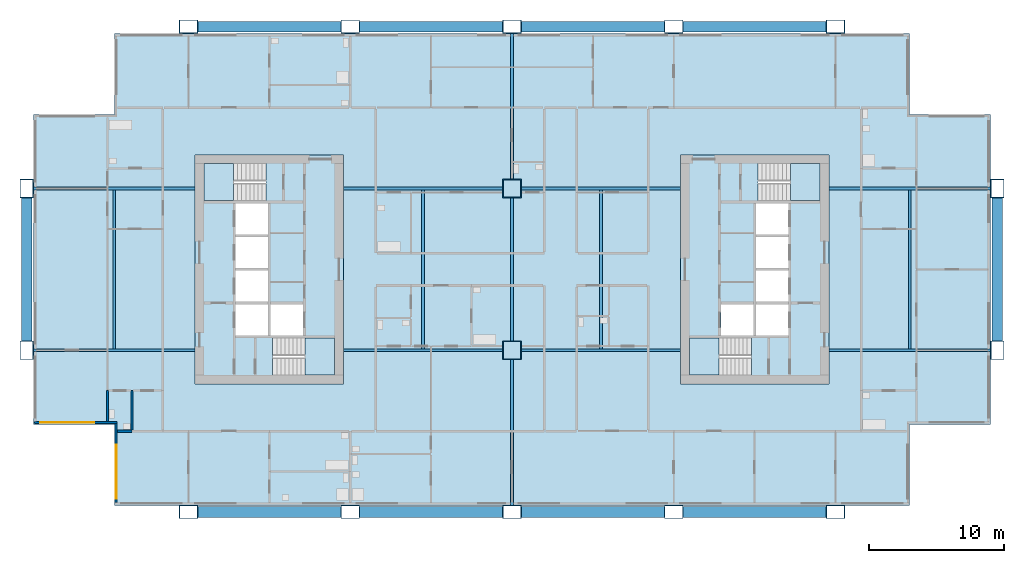
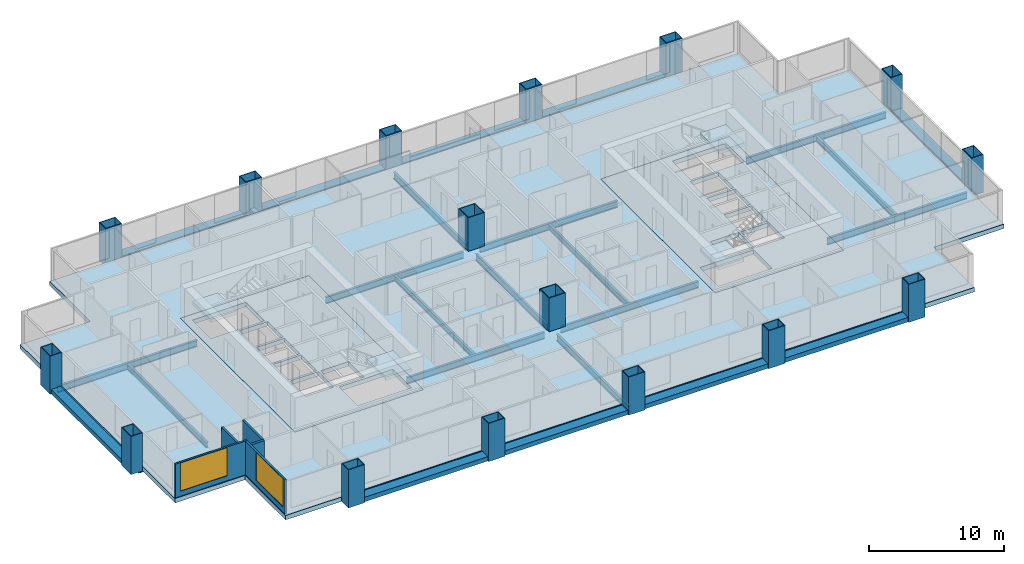
# One storey, part 1 of 11: 25 beams, 16 columns, 7 slabs, 5 walls, 2 windows, 2 openings, 4 elements without a shape of their own.
"""IFC4 building model written with IfcOpenShell, lengths in metres."""

from ifc_helpers import new_model, si_unit, direction, frame, frame_2d, origin, origin_2d, place, context, subcontext, project, spatial, polyline, rectangle, hollow_rectangle, i_section, outline, extrude, material, layer, layer_set, material_profile, profile_set, type_object, element, fill, aggregate, save


model = new_model("IFC4")

# Units and contexts
model_context = context("Model", 3, precision=1e-05, world=origin(), true_north=direction((0.0, 1.0)))
body_context = subcontext(model_context, "Body", "Model", "MODEL_VIEW")
ifc_project = project(units=[si_unit("LENGTHUNIT", "METRE"), si_unit("AREAUNIT", "SQUARE_METRE"), si_unit("VOLUMEUNIT", "CUBIC_METRE"), si_unit("PLANEANGLEUNIT", "RADIAN"), si_unit("MASSUNIT", "GRAM", prefix="KILO")], contexts=[model_context])

# Site, building, storey
site_placement = place(None, origin())
site = spatial("IfcSite", under=ifc_project, at=site_placement, CompositionType="ELEMENT")
building_placement = place(site_placement, origin())
building = spatial("IfcBuilding", under=site, at=building_placement, Name="Kitamizu Gate Tower and Museum", CompositionType="ELEMENT")
storey_placement = place(building_placement, frame((0.0, 0.0, 138.0)))
storey = spatial("IfcBuildingStorey", under=building, at=storey_placement, Name="L36", CompositionType="ELEMENT", Elevation=138.0)

# Columns
ifc_material_1 = material(Name="Steel SM490A bronze coated", Category="steel")
ifc_material_profile_1 = material_profile(ifc_material_1, hollow_rectangle(XDim=1.39990234375, YDim=1.0, WallThickness=0.054931640625, at=origin_2d()), Name="BOX 1400x1000x55")
ifc_profile_set_1 = profile_set([ifc_material_profile_1], Name="Steel SM490A bronze coated")
column_type_1 = type_object("IfcColumnType", Name="Exoskeleton column XC5 BOX 1400x1000x55", PredefinedType="COLUMN", material=ifc_profile_set_1)
for number, where, z_axis, x_axis, name in (
    (1, (0.0, 24.0, -0.39990234375), (0.0, 0.0, 1.0), (0.0, 1.0, 0.0), "Column XC5 1C L36"),
    (2, (0.0, 36.0, -0.39990234375), (0.0, 0.0, 1.0), (0.0, 1.0, 0.0), "Column XC5 1D L36"),
    (3, (12.0, 12.0, -0.39990234375), (0.0, 0.0, 1.0), (1.0, 0.0, 0.0), "Column XC5 2B L36"),
    (4, (12.0, 48.0, -0.39990234375), (0.0, 0.0, 1.0), (1.0, 0.0, 0.0), "Column XC5 2E L36"),
    (5, (24.0, 12.0, -0.39990234375), (0.0, 0.0, 1.0), (1.0, 0.0, 0.0), "Column XC5 3B L36"),
    (6, (24.0, 48.0, -0.39990234375), (0.0, 0.0, 1.0), (1.0, 0.0, 0.0), "Column XC5 3E L36"),
    (7, (36.0, 12.0, -0.39990234375), (0.0, 0.0, 1.0), (1.0, 0.0, 0.0), "Column XC5 4B L36"),
    (8, (36.0, 48.0, -0.39990234375), (0.0, 0.0, 1.0), (1.0, 0.0, 0.0), "Column XC5 4E L36"),
    (9, (48.0, 12.0, -0.39990234375), (0.0, 0.0, 1.0), (1.0, 0.0, 0.0), "Column XC5 5B L36"),
    (10, (48.0, 48.0, -0.39990234375), (0.0, 0.0, 1.0), (1.0, 0.0, 0.0), "Column XC5 5E L36"),
    (11, (60.0, 12.0, -0.39990234375), (0.0, 0.0, 1.0), (1.0, 0.0, 0.0), "Column XC5 6B L36"),
    (12, (60.0, 48.0, -0.39990234375), (0.0, 0.0, 1.0), (1.0, 0.0, 0.0), "Column XC5 6E L36"),
    (13, (72.0, 24.0, -0.39990234375), (0.0, 0.0, 1.0), (0.0, 1.0, 0.0), "Column XC5 7C L36"),
    (14, (72.0, 36.0, -0.39990234375), (0.0, 0.0, 1.0), (0.0, 1.0, 0.0), "Column XC5 7D L36"),
):
    element("IfcColumn", number, at=place(storey_placement, frame(where, z_axis=z_axis, x_axis=x_axis)), inside=storey, type_object=column_type_1, Name=name, PredefinedType="COLUMN", context=body_context, shape_type="SweptSolid", body=[
        extrude(hollow_rectangle(XDim=1.39990234375, YDim=1.0, WallThickness=0.054931640625, at=origin_2d()), origin(), (0.0, 0.0, 1.0), 3.449951171875),
    ])
ifc_material_2 = material(Name="Steel SM490A", Category="steel")
ifc_material_profile_2 = material_profile(ifc_material_2, hollow_rectangle(XDim=1.39990234375, YDim=1.39990234375, WallThickness=0.06005859375, at=origin_2d()), Name="BOX 1400x1400x60")
ifc_profile_set_2 = profile_set([ifc_material_profile_2], Name="Steel SM490A")
column_type_2 = type_object("IfcColumnType", Name="Interior column IC3 BOX 1400x1400x60", PredefinedType="COLUMN", material=ifc_profile_set_2)
for number, where, z_axis, x_axis, name in (
    (15, (36.0, 24.0, 0.0), (0.0, 0.0, 1.0), (1.0, 0.0, 0.0), "Column IC3 4C L36"),
    (16, (36.0, 36.0, 0.0), (0.0, 0.0, 1.0), (1.0, 0.0, 0.0), "Column IC3 4D L36"),
):
    element("IfcColumn", number, at=place(storey_placement, frame(where, z_axis=z_axis, x_axis=x_axis)), inside=storey, type_object=column_type_2, Name=name, PredefinedType="COLUMN", context=body_context, shape_type="SweptSolid", body=[
        extrude(hollow_rectangle(XDim=1.39990234375, YDim=1.39990234375, WallThickness=0.06005859375, at=origin_2d()), origin(), (0.0, 0.0, 1.0), 3.050048828125),
    ])

# Beams
ifc_material_3 = material(Name="Steel SM490A bronze coated", Category="steel")
ifc_material_profile_3 = material_profile(ifc_material_3, hollow_rectangle(XDim=0.800048828125, YDim=0.39990234375, WallThickness=0.0400390625, at=origin_2d()), Name="BOX 800x400x40")
ifc_profile_set_3 = profile_set([ifc_material_profile_3], Name="Steel SM490A bronze coated")
beam_type_1 = type_object("IfcBeamType", Name="Exoskeleton spandrel beam SB1 BOX 800x400x40", PredefinedType="SPANDREL", material=ifc_profile_set_3)
for number, where, z_axis, x_axis, name in (
    (17, (12.699951171875, 12.0, -0.199951171875), (1.0, 0.0, 0.0), (0.0, 1.0, 0.0), "Exoskeleton spandrel beam south 12 L36"),
    (18, (24.699951171875, 12.0, -0.199951171875), (1.0, 0.0, 0.0), (0.0, 1.0, 0.0), "Exoskeleton spandrel beam south 24 L36"),
    (19, (36.699951171875, 12.0, -0.199951171875), (1.0, 0.0, 0.0), (0.0, 1.0, 0.0), "Exoskeleton spandrel beam south 36 L36"),
    (20, (48.699951171875, 12.0, -0.199951171875), (1.0, 0.0, 0.0), (0.0, 1.0, 0.0), "Exoskeleton spandrel beam south 48 L36"),
    (21, (12.699951171875, 48.0, -0.199951171875), (1.0, 0.0, 0.0), (0.0, 1.0, 0.0), "Exoskeleton spandrel beam north 12 L36"),
    (22, (24.699951171875, 48.0, -0.199951171875), (1.0, 0.0, 0.0), (0.0, 1.0, 0.0), "Exoskeleton spandrel beam north 24 L36"),
    (23, (36.699951171875, 48.0, -0.199951171875), (1.0, 0.0, 0.0), (0.0, 1.0, 0.0), "Exoskeleton spandrel beam north 36 L36"),
    (24, (48.699951171875, 48.0, -0.199951171875), (1.0, 0.0, 0.0), (0.0, 1.0, 0.0), "Exoskeleton spandrel beam north 48 L36"),
    (25, (0.0, 24.699951171875, -0.199951171875), (0.0, 1.0, 0.0), (-1.0, 0.0, 0.0), "Exoskeleton spandrel beam west 24 L36"),
    (26, (72.0, 24.699951171875, -0.199951171875), (0.0, 1.0, 0.0), (-1.0, 0.0, 0.0), "Exoskeleton spandrel beam east 24 L36"),
):
    element("IfcBeam", number, at=place(storey_placement, frame(where, z_axis=z_axis, x_axis=x_axis)), inside=storey, type_object=beam_type_1, Name=name, PredefinedType="SPANDREL", context=body_context, shape_type="SweptSolid", body=[
        extrude(hollow_rectangle(XDim=0.800048828125, YDim=0.39990234375, WallThickness=0.0400390625, at=origin_2d()), origin(), (0.0, 0.0, 1.0), 10.60009765625),
    ])
ifc_material_4 = material(Name="Steel SM490A", Category="steel")
ifc_material_profile_4 = material_profile(ifc_material_4, i_section(OverallWidth=0.199951171875, OverallDepth=0.5, WebThickness=0.010009765625, FlangeThickness=0.01611328125, FilletRadius=0.02001953125, at=origin_2d()), Name="H-500x200x10x16")
ifc_profile_set_4 = profile_set([ifc_material_profile_4], Name="Steel SM490A")
beam_type_2 = type_object("IfcBeamType", Name="Floor beam FB1 H 500x200x10x16", PredefinedType="BEAM", material=ifc_profile_set_4)
for number, where, z_axis, x_axis, name in (
    (27, (6.5, 24.10009765625, -0.64990234375), (0.0, 1.0, 0.0), (-1.0, 0.0, 0.0), "Floor beam FB1 L36-1"),
    (28, (29.39990234375, 24.10009765625, -0.64990234375), (0.0, 1.0, 0.0), (-1.0, 0.0, 0.0), "Floor beam FB1 L36-2"),
    (29, (42.60009765625, 24.10009765625, -0.64990234375), (0.0, 1.0, 0.0), (-1.0, 0.0, 0.0), "Floor beam FB1 L36-3"),
    (30, (65.5, 24.10009765625, -0.64990234375), (0.0, 1.0, 0.0), (-1.0, 0.0, 0.0), "Floor beam FB1 L36-4"),
):
    element("IfcBeam", number, at=place(storey_placement, frame(where, z_axis=z_axis, x_axis=x_axis)), inside=storey, type_object=beam_type_2, Name=name, PredefinedType="BEAM", context=body_context, shape_type="SweptSolid", body=[
        extrude(i_section(OverallWidth=0.199951171875, OverallDepth=0.5, WebThickness=0.010009765625, FlangeThickness=0.01611328125, FilletRadius=0.02001953125, at=origin_2d()), origin(), (0.0, 0.0, 1.0), 11.7998046875),
    ])
ifc_material_5 = material(Name="Steel SM490A", Category="steel")
ifc_material_profile_5 = material_profile(ifc_material_5, i_section(OverallWidth=0.199951171875, OverallDepth=0.60009765625, WebThickness=0.010986328125, FlangeThickness=0.01708984375, FilletRadius=0.02197265625, at=origin_2d()), Name="H-600x200x11x17")
ifc_profile_set_5 = profile_set([ifc_material_profile_5], Name="Steel SM490A")
beam_type_3 = type_object("IfcBeamType", Name="Floor girder FG1 H 600x200x11x17", PredefinedType="BEAM", material=ifc_profile_set_5)
beam_1_placement = place(storey_placement, frame((36.0, 12.5, -0.699951171875), z_axis=(0.0, 1.0, 0.0), x_axis=(-1.0, 0.0, 0.0)))
element("IfcBeam", 31, at=beam_1_placement, inside=storey, type_object=beam_type_3, Name="Floor girder FG1 x36 L36", PredefinedType="BEAM", context=body_context, shape_type="SweptSolid", body=[
    extrude(i_section(OverallWidth=0.199951171875, OverallDepth=0.60009765625, WebThickness=0.010986328125, FlangeThickness=0.01708984375, FilletRadius=0.02197265625, at=origin_2d()), origin(), (0.0, 0.0, 1.0), 10.800048828125),
])
beam_2_placement = place(storey_placement, frame((36.0, 24.699951171875, -0.699951171875), z_axis=(0.0, 1.0, 0.0), x_axis=(-1.0, 0.0, 0.0)))
element("IfcBeam", 32, at=beam_2_placement, inside=storey, type_object=beam_type_3, Name="Floor girder FG1 x36 L36", PredefinedType="BEAM", context=body_context, shape_type="SweptSolid", body=[
    extrude(i_section(OverallWidth=0.199951171875, OverallDepth=0.60009765625, WebThickness=0.010986328125, FlangeThickness=0.01708984375, FilletRadius=0.02197265625, at=origin_2d()), origin(), (0.0, 0.0, 1.0), 10.60009765625),
])
beam_3_placement = place(storey_placement, frame((36.0, 36.699951171875, -0.699951171875), z_axis=(0.0, 1.0, 0.0), x_axis=(-1.0, 0.0, 0.0)))
element("IfcBeam", 33, at=beam_3_placement, inside=storey, type_object=beam_type_3, Name="Floor girder FG1 x36 L36", PredefinedType="BEAM", context=body_context, shape_type="SweptSolid", body=[
    extrude(i_section(OverallWidth=0.199951171875, OverallDepth=0.60009765625, WebThickness=0.010986328125, FlangeThickness=0.01708984375, FilletRadius=0.02197265625, at=origin_2d()), origin(), (0.0, 0.0, 1.0), 10.800048828125),
])
beam_4_placement = place(storey_placement, frame((0.5, 24.0, -0.699951171875), z_axis=(1.0, 0.0, 0.0), x_axis=(0.0, 1.0, 0.0)))
element("IfcBeam", 34, at=beam_4_placement, inside=storey, type_object=beam_type_3, Name="Floor girder FG1 y24 L36", PredefinedType="BEAM", context=body_context, shape_type="SweptSolid", body=[
    extrude(i_section(OverallWidth=0.199951171875, OverallDepth=0.60009765625, WebThickness=0.010986328125, FlangeThickness=0.01708984375, FilletRadius=0.02197265625, at=origin_2d()), origin(), (0.0, 0.0, 1.0), 12.0),
])
for number, where, z_axis, x_axis, name in (
    (35, (23.5, 24.0, -0.699951171875), (1.0, 0.0, 0.0), (0.0, 1.0, 0.0), "Floor girder FG1 y24 L36"),
    (36, (36.699951171875, 24.0, -0.699951171875), (1.0, 0.0, 0.0), (0.0, 1.0, 0.0), "Floor girder FG1 y24 L36"),
):
    element("IfcBeam", number, at=place(storey_placement, frame(where, z_axis=z_axis, x_axis=x_axis)), inside=storey, type_object=beam_type_3, Name=name, PredefinedType="BEAM", context=body_context, shape_type="SweptSolid", body=[
        extrude(i_section(OverallWidth=0.199951171875, OverallDepth=0.60009765625, WebThickness=0.010986328125, FlangeThickness=0.01708984375, FilletRadius=0.02197265625, at=origin_2d()), origin(), (0.0, 0.0, 1.0), 11.800048828125),
    ])
for number, where, z_axis, x_axis, name in (
    (37, (59.5, 24.0, -0.699951171875), (1.0, 0.0, 0.0), (0.0, 1.0, 0.0), "Floor girder FG1 y24 L36"),
    (38, (0.5, 36.0, -0.699951171875), (1.0, 0.0, 0.0), (0.0, 1.0, 0.0), "Floor girder FG1 y36 L36"),
):
    element("IfcBeam", number, at=place(storey_placement, frame(where, z_axis=z_axis, x_axis=x_axis)), inside=storey, type_object=beam_type_3, Name=name, PredefinedType="BEAM", context=body_context, shape_type="SweptSolid", body=[
        extrude(i_section(OverallWidth=0.199951171875, OverallDepth=0.60009765625, WebThickness=0.010986328125, FlangeThickness=0.01708984375, FilletRadius=0.02197265625, at=origin_2d()), origin(), (0.0, 0.0, 1.0), 12.0),
    ])
for number, where, z_axis, x_axis, name in (
    (39, (23.5, 36.0, -0.699951171875), (1.0, 0.0, 0.0), (0.0, 1.0, 0.0), "Floor girder FG1 y36 L36"),
    (40, (36.699951171875, 36.0, -0.699951171875), (1.0, 0.0, 0.0), (0.0, 1.0, 0.0), "Floor girder FG1 y36 L36"),
):
    element("IfcBeam", number, at=place(storey_placement, frame(where, z_axis=z_axis, x_axis=x_axis)), inside=storey, type_object=beam_type_3, Name=name, PredefinedType="BEAM", context=body_context, shape_type="SweptSolid", body=[
        extrude(i_section(OverallWidth=0.199951171875, OverallDepth=0.60009765625, WebThickness=0.010986328125, FlangeThickness=0.01708984375, FilletRadius=0.02197265625, at=origin_2d()), origin(), (0.0, 0.0, 1.0), 11.800048828125),
    ])
beam_5_placement = place(storey_placement, frame((59.5, 36.0, -0.699951171875), z_axis=(1.0, 0.0, 0.0), x_axis=(0.0, 1.0, 0.0)))
element("IfcBeam", 41, at=beam_5_placement, inside=storey, type_object=beam_type_3, Name="Floor girder FG1 y36 L36", PredefinedType="BEAM", context=body_context, shape_type="SweptSolid", body=[
    extrude(i_section(OverallWidth=0.199951171875, OverallDepth=0.60009765625, WebThickness=0.010986328125, FlangeThickness=0.01708984375, FilletRadius=0.02197265625, at=origin_2d()), origin(), (0.0, 0.0, 1.0), 12.0),
])

# Slabs
ifc_material_6 = material(Name="Concrete Fc36", Category="concrete")
ifc_layer_1 = layer(ifc_material_6, 0.39990234375)
ifc_layer_set_1 = layer_set([ifc_layer_1], Name="Concrete Fc36")
slab_type_1 = type_object("IfcSlabType", Name="Core floor slab 400", PredefinedType="FLOOR", material=ifc_layer_set_1)
slab_1_placement = place(storey_placement, frame((0.0, 0.0, -0.39990234375)))
element("IfcSlab", 42, at=slab_1_placement, inside=storey, type_object=slab_type_1, Name="Core floor slab W", PredefinedType="FLOOR", context=body_context, shape_type="SweptSolid", body=[
    extrude(outline(polyline([(12.5, 21.5), (23.5, 21.5), (23.5, 38.5), (12.5, 38.5), (12.5, 21.5)]), holes=[polyline([(15.5, 25.10009765625), (17.89990234375, 25.10009765625), (17.89990234375, 27.39990234375), (15.5, 27.39990234375), (15.5, 25.10009765625)]), polyline([(15.5, 27.60009765625), (17.89990234375, 27.60009765625), (17.89990234375, 29.89990234375), (15.5, 29.89990234375), (15.5, 27.60009765625)]), polyline([(15.5, 30.10009765625), (17.89990234375, 30.10009765625), (17.89990234375, 32.39990234375), (15.5, 32.39990234375), (15.5, 30.10009765625)]), polyline([(15.5, 32.60009765625), (17.89990234375, 32.60009765625), (17.89990234375, 34.89990234375), (15.5, 34.89990234375), (15.5, 32.60009765625)]), polyline([(18.10009765625, 25.10009765625), (20.5, 25.10009765625), (20.5, 27.39990234375), (18.10009765625, 27.39990234375), (18.10009765625, 25.10009765625)]), polyline([(18.25048828125, 22.14990234375), (22.85009765625, 22.14990234375), (22.85009765625, 24.89990234375), (18.25048828125, 24.89990234375), (18.25048828125, 22.14990234375)]), polyline([(13.14990234375, 35.10009765625), (17.74951171875, 35.10009765625), (17.74951171875, 37.85009765625), (13.14990234375, 37.85009765625), (13.14990234375, 35.10009765625)])]), origin(), (0.0, 0.0, 1.0), 0.39990234375),
])
slab_2_placement = place(storey_placement, frame((0.0, 0.0, -0.39990234375)))
element("IfcSlab", 43, at=slab_2_placement, inside=storey, type_object=slab_type_1, Name="Core floor slab E", PredefinedType="FLOOR", context=body_context, shape_type="SweptSolid", body=[
    extrude(outline(polyline([(48.5, 21.5), (59.5, 21.5), (59.5, 38.5), (48.5, 38.5), (48.5, 21.5)]), holes=[polyline([(54.10009765625, 25.10009765625), (56.5, 25.10009765625), (56.5, 27.39990234375), (54.10009765625, 27.39990234375), (54.10009765625, 25.10009765625)]), polyline([(54.10009765625, 27.60009765625), (56.5, 27.60009765625), (56.5, 29.89990234375), (54.10009765625, 29.89990234375), (54.10009765625, 27.60009765625)]), polyline([(54.10009765625, 30.10009765625), (56.5, 30.10009765625), (56.5, 32.39990234375), (54.10009765625, 32.39990234375), (54.10009765625, 30.10009765625)]), polyline([(54.10009765625, 32.60009765625), (56.5, 32.60009765625), (56.5, 34.89990234375), (54.10009765625, 34.89990234375), (54.10009765625, 32.60009765625)]), polyline([(51.5, 25.10009765625), (53.89990234375, 25.10009765625), (53.89990234375, 27.39990234375), (51.5, 27.39990234375), (51.5, 25.10009765625)]), polyline([(49.14990234375, 22.14990234375), (53.74951171875, 22.14990234375), (53.74951171875, 24.89990234375), (49.14990234375, 24.89990234375), (49.14990234375, 22.14990234375)]), polyline([(54.25048828125, 35.10009765625), (58.85009765625, 35.10009765625), (58.85009765625, 37.85009765625), (54.25048828125, 37.85009765625), (54.25048828125, 35.10009765625)])]), origin(), (0.0, 0.0, 1.0), 0.39990234375),
])
ifc_material_7 = material(Name="Concrete Fc36", Category="concrete")
ifc_layer_2 = layer(ifc_material_7, 0.39990234375)
ifc_layer_set_2 = layer_set([ifc_layer_2], Name="Concrete Fc36")
slab_type_2 = type_object("IfcSlabType", Name="Post tensioned flat slab 400", PredefinedType="FLOOR", material=ifc_layer_set_2)
slab_3_placement = place(storey_placement, frame((0.0, 0.0, -0.39990234375)))
element("IfcSlab", 44, at=slab_3_placement, inside=storey, type_object=slab_type_2, Name="Floor slab L36-1", PredefinedType="FLOOR", context=body_context, shape_type="SweptSolid", body=[
    extrude(outline(polyline([(0.5, 18.5), (0.5, 41.5), (6.5, 41.5), (6.5, 47.5), (65.5, 47.5), (65.5, 41.5), (71.5, 41.5), (71.5, 18.5), (65.5, 18.5), (65.5, 12.5), (6.5, 12.5), (6.5, 18.5), (0.5, 18.5)]), holes=[polyline([(59.5, 38.5), (48.5, 38.5), (48.5, 21.5), (59.5, 21.5), (59.5, 38.5)]), polyline([(12.5, 38.5), (12.5, 21.5), (23.5, 21.5), (23.5, 38.5), (12.5, 38.5)])]), origin(), (0.0, 0.0, 1.0), 0.39990234375),
])

# Stair, slab
ifc_material_8 = material(Name="Concrete Fc42", Category="concrete")
stair_type = type_object("IfcStairType", Name="Exit stair 1275 wide 192 rise 300 going", PredefinedType="HALF_TURN_STAIR", material=ifc_material_8)
stair_1_placement = place(storey_placement, origin())
stair_1 = element("IfcStair", 45, at=stair_1_placement, inside=storey, type_object=stair_type, Name="Exit stair ST1", PredefinedType="HALF_TURN_STAIR")
ifc_material_9 = material(Name="Concrete Fc42", Category="concrete")
ifc_layer_3 = layer(ifc_material_9, 0.300048828125)
ifc_layer_set_3 = layer_set([ifc_layer_3], Name="Concrete Fc42")
slab_type_3 = type_object("IfcSlabType", Name="Stair landing 300", PredefinedType="LANDING", material=ifc_layer_set_3)
slab_4_placement = place(storey_placement, frame((0.0, 0.0, 1.425048828125)))
slab_4 = element("IfcSlab", 46, at=slab_4_placement, type_object=slab_type_3, Name="ST1 landing 1", PredefinedType="LANDING", context=body_context, shape_type="SweptSolid", body=[
    extrude(outline(polyline([(20.64990234375, 22.14990234375), (22.85009765625, 22.14990234375), (22.85009765625, 24.89990234375), (20.64990234375, 24.89990234375), (20.64990234375, 22.14990234375)])), origin(), (0.0, 0.0, 1.0), 0.300048828125),
])
aggregate(stair_1, [slab_4])

stair_2_placement = place(storey_placement, origin())
stair_2 = element("IfcStair", 47, at=stair_2_placement, inside=storey, type_object=stair_type, Name="Exit stair ST2", PredefinedType="HALF_TURN_STAIR")
slab_5_placement = place(storey_placement, frame((0.0, 0.0, 1.425048828125)))
slab_5 = element("IfcSlab", 48, at=slab_5_placement, type_object=slab_type_3, Name="ST2 landing 1", PredefinedType="LANDING", context=body_context, shape_type="SweptSolid", body=[
    extrude(outline(polyline([(13.14990234375, 35.10009765625), (15.35009765625, 35.10009765625), (15.35009765625, 37.85009765625), (13.14990234375, 37.85009765625), (13.14990234375, 35.10009765625)])), origin(), (0.0, 0.0, 1.0), 0.300048828125),
])
aggregate(stair_2, [slab_5])

stair_3_placement = place(storey_placement, origin())
stair_3 = element("IfcStair", 49, at=stair_3_placement, inside=storey, type_object=stair_type, Name="Exit stair ST3", PredefinedType="HALF_TURN_STAIR")
slab_6_placement = place(storey_placement, frame((0.0, 0.0, 1.425048828125)))
slab_6 = element("IfcSlab", 50, at=slab_6_placement, type_object=slab_type_3, Name="ST3 landing 1", PredefinedType="LANDING", context=body_context, shape_type="SweptSolid", body=[
    extrude(outline(polyline([(49.14990234375, 22.14990234375), (51.35009765625, 22.14990234375), (51.35009765625, 24.89990234375), (49.14990234375, 24.89990234375), (49.14990234375, 22.14990234375)])), origin(), (0.0, 0.0, 1.0), 0.300048828125),
])
aggregate(stair_3, [slab_6])

stair_4_placement = place(storey_placement, origin())
stair_4 = element("IfcStair", 51, at=stair_4_placement, inside=storey, type_object=stair_type, Name="Exit stair ST4", PredefinedType="HALF_TURN_STAIR")
slab_7_placement = place(storey_placement, frame((0.0, 0.0, 1.425048828125)))
slab_7 = element("IfcSlab", 52, at=slab_7_placement, type_object=slab_type_3, Name="ST4 landing 1", PredefinedType="LANDING", context=body_context, shape_type="SweptSolid", body=[
    extrude(outline(polyline([(56.64990234375, 35.10009765625), (58.85009765625, 35.10009765625), (58.85009765625, 37.85009765625), (56.64990234375, 37.85009765625), (56.64990234375, 35.10009765625)])), origin(), (0.0, 0.0, 1.0), 0.300048828125),
])
aggregate(stair_4, [slab_7])

# Walls
ifc_material_10 = material(Name="Gypsum board on galvanised stud")
ifc_layer_4 = layer(ifc_material_10, 0.14990234375)
ifc_layer_set_4 = layer_set([ifc_layer_4], Name="Gypsum board on galvanised stud")
wall_type_1 = type_object("IfcWallType", Name="Partition 150", PredefinedType="PARTITIONING", material=ifc_layer_set_4)
wall_1_placement = place(storey_placement, frame((6.0, 18.719970703125, 0.0), z_axis=(0.0, 0.0, 1.0), x_axis=(0.0, 1.0, 0.0)))
element("IfcWall", 53, at=wall_1_placement, inside=storey, type_object=wall_type_1, Name="Partition L36-014", PredefinedType="PARTITIONING", context=body_context, shape_type="SweptSolid", body=[
    extrude(rectangle(XDim=2.280029296875, YDim=0.14990234375, at=frame_2d((1.14013671875, 0.0))), origin(), (0.0, 0.0, 1.0), 3.050048828125),
])
wall_2_placement = place(storey_placement, frame((7.800048828125, 18.10009765625, 0.0), z_axis=(0.0, 0.0, 1.0), x_axis=(0.0, 1.0, 0.0)))
element("IfcWall", 54, at=wall_2_placement, inside=storey, type_object=wall_type_1, Name="Partition L36-021", PredefinedType="PARTITIONING", context=body_context, shape_type="SweptSolid", body=[
    extrude(rectangle(XDim=2.89990234375, YDim=0.14990234375, at=frame_2d((1.449951171875, 0.0))), origin(), (0.0, 0.0, 1.0), 3.050048828125),
])
ifc_material_11 = material(Name="Gypsum board on galvanised stud")
ifc_layer_5 = layer(ifc_material_11, 0.199951171875)
ifc_layer_set_5 = layer_set([ifc_layer_5], Name="Gypsum board on galvanised stud")
wall_type_2 = type_object("IfcWallType", Name="Partition 200", PredefinedType="PARTITIONING", material=ifc_layer_set_5)
wall_3_placement = place(storey_placement, frame((7.800048828125, 18.0, 0.0), z_axis=(0.0, 0.0, 1.0), x_axis=(-1.0, 0.0, 0.0)))
element("IfcWall", 55, at=wall_3_placement, inside=storey, type_object=wall_type_2, Name="Partition L36-002", PredefinedType="PARTITIONING", context=body_context, shape_type="SweptSolid", body=[
    extrude(rectangle(XDim=1.080078125, YDim=0.199951171875, at=frame_2d((0.5400390625, 0.0))), origin(), (0.0, 0.0, 1.0), 3.050048828125),
])

# Wall, opening, window
ifc_material_12 = material(Name="Bronze anodised aluminium frame with insulated spandrel and tinted glass", Category="aluminium")
ifc_layer_6 = layer(ifc_material_12, 0.14990234375)
ifc_layer_set_6 = layer_set([ifc_layer_6], Name="Bronze anodised aluminium frame with insulated spandrel and tinted glass")
wall_type_3 = type_object("IfcWallType", Name="WINDOW WALL 150 BRONZE FRAME EI 30", PredefinedType="ELEMENTEDWALL", material=ifc_layer_set_6)
wall_4_placement = place(storey_placement, frame((0.56005859375, 18.635009765625, 0.0), z_axis=(0.0, 0.0, 1.0), x_axis=(1.0, 0.0, 0.0)))
wall_4 = element("IfcWall", 56, at=wall_4_placement, inside=storey, type_object=wall_type_3, Name="Window wall south L36", PredefinedType="ELEMENTEDWALL", context=body_context, shape_type="SweptSolid", body=[
    extrude(rectangle(XDim=6.14990234375, YDim=0.14990234375, at=frame_2d((3.074951171875, 0.0))), origin(), (0.0, 0.0, 1.0), 3.050048828125),
])
opening_1_placement = place(wall_4_placement, frame((0.43994140625, 0.0, 0.449951171875)))
opening_1 = element("IfcOpeningElement", 57, at=opening_1_placement, cuts=wall_4, Name="Opening W16", PredefinedType="OPENING", context=body_context, shape_type="SweptSolid", body=[
    extrude(rectangle(XDim=4.0, YDim=2.550048828125, at=frame_2d((2.0, 1.27490234375))), frame((0.0, 0.0849609375, 0.0), z_axis=(0.0, -1.0, 0.0), x_axis=(1.0, 0.0, 0.0)), (0.0, 0.0, 1.0), 0.169921875),
])
ifc_material_13 = material(Name="Bronze anodised aluminium frame, tinted triple glazing", Category="aluminium")
window_type = type_object("IfcWindowType", Name="WINDOW 4000 x 2550 SILL 450", PartitioningType="SINGLE_PANEL", PredefinedType="WINDOW", material=ifc_material_13)
window_1_placement = place(opening_1_placement, origin())
window_1 = element("IfcWindow", 58, at=window_1_placement, inside=storey, type_object=window_type, Name="Window W16 L36", OverallHeight=2.550048828125, OverallWidth=4.0, PartitioningType="SINGLE_PANEL", PredefinedType="WINDOW", context=body_context, shape_type="SweptSolid", body=[
    extrude(rectangle(XDim=4.0, YDim=2.550048828125, at=frame_2d((2.0, 1.27490234375))), frame((0.0, 0.030029296875, 0.0), z_axis=(0.0, -1.0, 0.0), x_axis=(1.0, 0.0, 0.0)), (0.0, 0.0, 1.0), 0.06005859375),
])
fill(opening_1, window_1)

wall_5_placement = place(storey_placement, frame((6.635009765625, 12.7099609375, 0.0), z_axis=(0.0, 0.0, 1.0), x_axis=(0.0, 1.0, 0.0)))
wall_5 = element("IfcWall", 59, at=wall_5_placement, inside=storey, type_object=wall_type_3, Name="Window wall west L36", PredefinedType="ELEMENTEDWALL", context=body_context, shape_type="SweptSolid", body=[
    extrude(rectangle(XDim=5.85009765625, YDim=0.14990234375, at=frame_2d((2.925048828125, 0.0))), origin(), (0.0, 0.0, 1.0), 3.050048828125),
])
opening_2_placement = place(wall_5_placement, frame((0.2900390625, 0.0, 0.449951171875)))
opening_2 = element("IfcOpeningElement", 60, at=opening_2_placement, cuts=wall_5, Name="Opening W16", PredefinedType="OPENING", context=body_context, shape_type="SweptSolid", body=[
    extrude(rectangle(XDim=4.0, YDim=2.550048828125, at=frame_2d((2.0, 1.27490234375))), frame((0.0, 0.0849609375, 0.0), z_axis=(0.0, -1.0, 0.0), x_axis=(1.0, 0.0, 0.0)), (0.0, 0.0, 1.0), 0.169921875),
])
window_2_placement = place(opening_2_placement, origin())
window_2 = element("IfcWindow", 61, at=window_2_placement, inside=storey, type_object=window_type, Name="Window W16 L36", OverallHeight=2.550048828125, OverallWidth=4.0, PartitioningType="SINGLE_PANEL", PredefinedType="WINDOW", context=body_context, shape_type="SweptSolid", body=[
    extrude(rectangle(XDim=4.0, YDim=2.550048828125, at=frame_2d((2.0, 1.27490234375))), frame((0.0, 0.030029296875, 0.0), z_axis=(0.0, -1.0, 0.0), x_axis=(1.0, 0.0, 0.0)), (0.0, 0.0, 1.0), 0.06005859375),
])
fill(opening_2, window_2)

save(model, "model.ifc")
